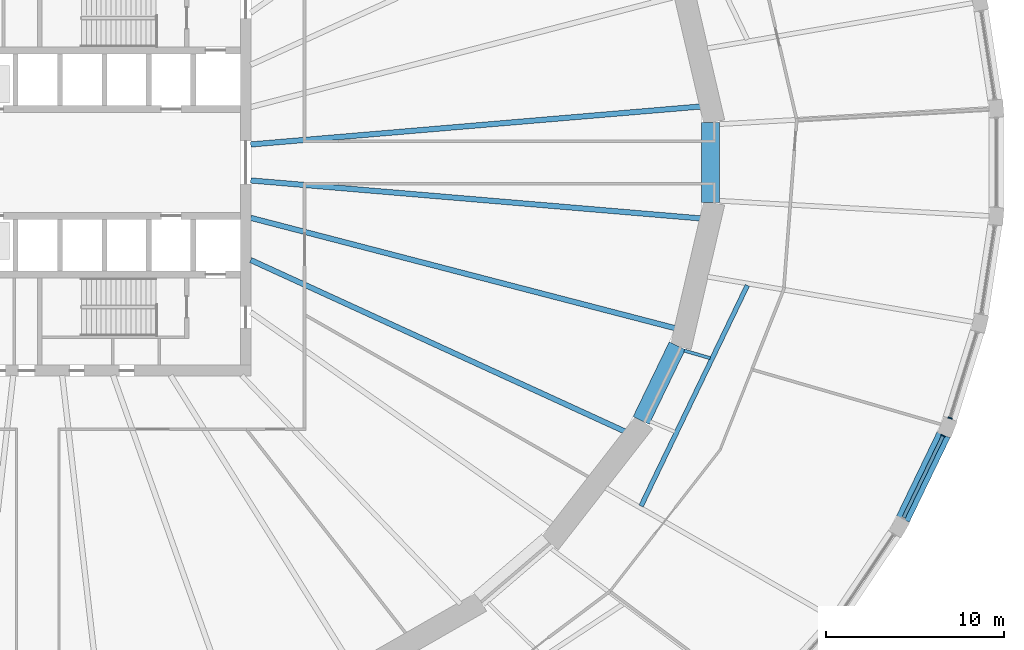
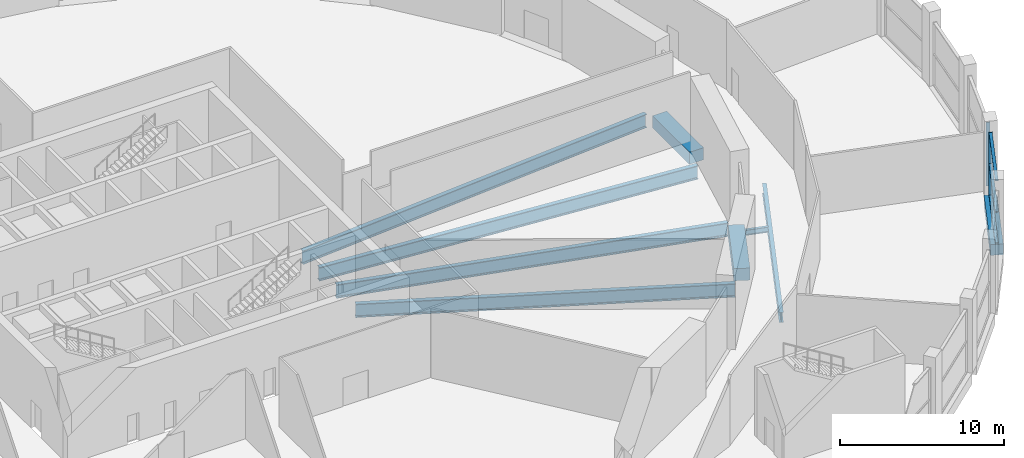
# One storey, part 10 of 29: 9 beams, 5 members, 2 elements without a shape of their own.
"""IFC4 building model written with IfcOpenShell, lengths in metres."""

from ifc_helpers import new_model, si_unit, direction, frame, origin, origin_2d, place, context, subcontext, project, spatial, rectangle, i_section, extrude, material, material_profile, profile_set, type_object, element, aggregate, save


model = new_model("IFC4")

# Units and contexts
model_context = context("Model", 3, precision=1e-05, world=origin(), true_north=direction((0.0, 1.0)))
body_context = subcontext(model_context, "Body", "Model", "MODEL_VIEW")
ifc_project = project(units=[si_unit("LENGTHUNIT", "METRE"), si_unit("AREAUNIT", "SQUARE_METRE"), si_unit("VOLUMEUNIT", "CUBIC_METRE"), si_unit("PLANEANGLEUNIT", "RADIAN"), si_unit("MASSUNIT", "GRAM", prefix="KILO")], contexts=[model_context])

# Site, building, storey
site_placement = place(None, origin())
site = spatial("IfcSite", under=ifc_project, at=site_placement, CompositionType="ELEMENT")
building_placement = place(site_placement, origin())
building = spatial("IfcBuilding", under=site, at=building_placement, Name="Halqa Exchange Tower", CompositionType="ELEMENT")
storey_placement = place(building_placement, frame((0.0, 0.0, 7.0)))
storey = spatial("IfcBuildingStorey", under=building, at=storey_placement, Name="L01", CompositionType="ELEMENT", Elevation=7.0)

# Curtain wall, member
ifc_material_1 = material(Name="Anodised aluminium and clear glass", Category="aluminium")
curtain_wall_type = type_object("IfcCurtainWallType", Name="Exchange hall glazing", PredefinedType="NOTDEFINED", material=ifc_material_1)
curtain_wall_1_placement = place(storey_placement, origin())
curtain_wall_1 = element("IfcCurtainWall", 1, at=curtain_wall_1_placement, inside=storey, type_object=curtain_wall_type, Name="Exchange hall glazing run P45", PredefinedType="NOTDEFINED")
ifc_material_2 = material(Name="Anodised aluminium", Category="aluminium")
ifc_material_profile_1 = material_profile(ifc_material_2, rectangle(XDim=0.25, YDim=0.070068359375, at=origin_2d()), Name="AL 70x250")
ifc_profile_set_1 = profile_set([ifc_material_profile_1], Name="Anodised aluminium")
member_type_1 = type_object("IfcMemberType", Name="Exchange hall glazing mullion 70 x 250", PredefinedType="MULLION", material=ifc_profile_set_1)
member_1_placement = place(storey_placement, frame((50.9013671875, -15.3642578125, 0.0), z_axis=(0.0, 0.0, 1.0), x_axis=(-0.90043534892, 0.434989864727, 0.0)))
member_1 = element("IfcMember", 2, at=member_1_placement, type_object=member_type_1, Name="P45 mullion 2", PredefinedType="MULLION", context=body_context, shape_type="SweptSolid", body=[
    extrude(rectangle(XDim=0.25, YDim=0.070068359375, at=origin_2d()), origin(), (0.0, 0.0, 1.0), 4.699951171875),
])

curtain_wall_2_placement = place(storey_placement, origin())
curtain_wall_2 = element("IfcCurtainWall", 3, at=curtain_wall_2_placement, inside=storey, type_object=curtain_wall_type, Name="Exchange hall glazing run P46", PredefinedType="NOTDEFINED")
member_2_placement = place(storey_placement, frame((51.293701171875, -14.3720703125, 0.0), z_axis=(0.0, 0.0, 1.0), x_axis=(-0.95447130463, 0.298302746613, 0.0)))
member_2 = element("IfcMember", 4, at=member_2_placement, type_object=member_type_1, Name="P46 mullion 1", PredefinedType="MULLION", context=body_context, shape_type="SweptSolid", body=[
    extrude(rectangle(XDim=0.25, YDim=0.070068359375, at=origin_2d()), origin(), (0.0, 0.0, 1.0), 4.699951171875),
])
aggregate(curtain_wall_2, [member_2])

# Member
ifc_material_profile_2 = material_profile(ifc_material_2, rectangle(XDim=0.199951171875, YDim=0.070068359375, at=origin_2d()), Name="AL 70x200")
ifc_profile_set_2 = profile_set([ifc_material_profile_2], Name="Anodised aluminium")
member_type_2 = type_object("IfcMemberType", Name="Exchange hall glazing transom 70 x 200", PredefinedType="USERDEFINED", material=ifc_profile_set_2)
member_3_placement = place(storey_placement, frame((48.678955078125, -19.96484375, 0.034912109375), z_axis=(0.434989893806, 0.900435334872, 0.0), x_axis=(-0.900435334872, 0.434989893806, 0.0)))
member_3 = element("IfcMember", 5, at=member_3_placement, type_object=member_type_2, Name="P45 transom 1.1", ObjectType="TRANSOM", PredefinedType="USERDEFINED", context=body_context, shape_type="SweptSolid", body=[
    extrude(rectangle(XDim=0.199951171875, YDim=0.070068359375, at=origin_2d()), origin(), (0.0, 0.0, 1.0), 5.07421875),
])

member_4_placement = place(storey_placement, frame((48.678955078125, -19.96484375, 2.35009765625), z_axis=(0.434989893806, 0.900435334872, 0.0), x_axis=(-0.900435334872, 0.434989893806, 0.0)))
member_4 = element("IfcMember", 6, at=member_4_placement, type_object=member_type_2, Name="P45 transom 1.2", ObjectType="TRANSOM", PredefinedType="USERDEFINED", context=body_context, shape_type="SweptSolid", body=[
    extrude(rectangle(XDim=0.199951171875, YDim=0.070068359375, at=origin_2d()), origin(), (0.0, 0.0, 1.0), 5.07421875),
])

member_5_placement = place(storey_placement, frame((48.678955078125, -19.96484375, 4.6650390625), z_axis=(0.434989893806, 0.900435334872, 0.0), x_axis=(-0.900435334872, 0.434989893806, 0.0)))
member_5 = element("IfcMember", 7, at=member_5_placement, type_object=member_type_2, Name="P45 transom 1.3", ObjectType="TRANSOM", PredefinedType="USERDEFINED", context=body_context, shape_type="SweptSolid", body=[
    extrude(rectangle(XDim=0.199951171875, YDim=0.070068359375, at=origin_2d()), origin(), (0.0, 0.0, 1.0), 5.07421875),
])

aggregate(curtain_wall_1, [member_1, member_3, member_4, member_5])

# Beams
ifc_material_3 = material(Name="Steel S355", Category="steel")
ifc_material_profile_3 = material_profile(ifc_material_3, i_section(OverallWidth=0.300048828125, OverallDepth=1.0, WebThickness=0.01904296875, FlangeThickness=0.035888671875, FilletRadius=0.030029296875, at=origin_2d()), Name="HEB 1000")
ifc_profile_set_3 = profile_set([ifc_material_profile_3], Name="Steel S355")
beam_type_1 = type_object("IfcBeamType", Name="Floor beam HEB 1000", PredefinedType="BEAM", material=ifc_profile_set_3)
beam_1_placement = place(storey_placement, frame((11.972412109375, -5.485107421875, -0.85009765625), z_axis=(0.909128229117, -0.416516341843, 0.0), x_axis=(0.416516341843, 0.909128229117, 0.0)))
element("IfcBeam", 8, at=beam_1_placement, inside=storey, type_object=beam_type_1, Name="Radial beam 30", PredefinedType="BEAM", context=body_context, shape_type="SweptSolid", body=[
    extrude(i_section(OverallWidth=0.300048828125, OverallDepth=1.0, WebThickness=0.01904296875, FlangeThickness=0.035888671875, FilletRadius=0.030029296875, at=origin_2d()), origin(), (0.0, 0.0, 1.0), 23.209228515625),
])
ifc_material_profile_4 = material_profile(ifc_material_3, i_section(OverallWidth=0.302001953125, OverallDepth=1.008056640625, WebThickness=0.02099609375, FlangeThickness=0.0400390625, FilletRadius=0.030029296875, at=origin_2d()), Name="HEM 1000")
ifc_profile_set_4 = profile_set([ifc_material_profile_4], Name="Steel S355")
beam_type_2 = type_object("IfcBeamType", Name="Floor beam HEM 1000", PredefinedType="BEAM", material=ifc_profile_set_4)
beam_2_placement = place(storey_placement, frame((11.972412109375, 1.0107421875, -0.85400390625), z_axis=(0.996455167327, 0.084125498561, 0.0), x_axis=(-0.084125498561, 0.996455167327, 0.0)))
element("IfcBeam", 9, at=beam_2_placement, inside=storey, type_object=beam_type_2, Name="Radial beam 1", PredefinedType="BEAM", context=body_context, shape_type="SweptSolid", body=[
    extrude(i_section(OverallWidth=0.302001953125, OverallDepth=1.008056640625, WebThickness=0.02099609375, FlangeThickness=0.0400390625, FilletRadius=0.030029296875, at=origin_2d()), origin(), (0.0, 0.0, 1.0), 25.460205078125),
])
beam_3_placement = place(storey_placement, frame((11.971435546875, -3.11279296875, -0.85400390625), z_axis=(0.967821064299, -0.251639399735, 0.0), x_axis=(0.251639399735, 0.967821064299, 0.0)))
element("IfcBeam", 10, at=beam_3_placement, inside=storey, type_object=beam_type_2, Name="Radial beam 31", PredefinedType="BEAM", context=body_context, shape_type="SweptSolid", body=[
    extrude(i_section(OverallWidth=0.302001953125, OverallDepth=1.008056640625, WebThickness=0.02099609375, FlangeThickness=0.0400390625, FilletRadius=0.030029296875, at=origin_2d()), origin(), (0.0, 0.0, 1.0), 24.7314453125),
])
beam_4_placement = place(storey_placement, frame((11.972412109375, -1.0107421875, -0.85400390625), z_axis=(0.996455167327, -0.084125498561, 0.0), x_axis=(0.084125498561, 0.996455167327, 0.0)))
element("IfcBeam", 11, at=beam_4_placement, inside=storey, type_object=beam_type_2, Name="Radial beam 32", PredefinedType="BEAM", context=body_context, shape_type="SweptSolid", body=[
    extrude(i_section(OverallWidth=0.302001953125, OverallDepth=1.008056640625, WebThickness=0.02099609375, FlangeThickness=0.0400390625, FilletRadius=0.030029296875, at=origin_2d()), origin(), (0.0, 0.0, 1.0), 25.460205078125),
])
ifc_material_profile_5 = material_profile(ifc_material_3, i_section(OverallWidth=0.179931640625, OverallDepth=0.39990234375, WebThickness=0.008544921875, FlangeThickness=0.013427734375, FilletRadius=0.02099609375, at=origin_2d()), Name="IPE 400")
ifc_profile_set_5 = profile_set([ifc_material_profile_5], Name="Steel S355")
beam_type_3 = type_object("IfcBeamType", Name="Floor beam IPE 400", PredefinedType="BEAM", material=ifc_profile_set_5)
beam_5_placement = place(storey_placement, frame((36.34521484375, -10.578369140625, -0.550048828125), z_axis=(0.960174163417, -0.279402175917, 0.0), x_axis=(0.279402175917, 0.960174163417, 0.0)))
element("IfcBeam", 12, at=beam_5_placement, inside=storey, type_object=beam_type_3, Name="Radial beam 46a", PredefinedType="BEAM", context=body_context, shape_type="SweptSolid", body=[
    extrude(i_section(OverallWidth=0.179931640625, OverallDepth=0.39990234375, WebThickness=0.008544921875, FlangeThickness=0.013427734375, FilletRadius=0.02099609375, at=origin_2d()), origin(), (0.0, 0.0, 1.0), 1.521240234375),
])
ifc_material_profile_6 = material_profile(ifc_material_3, i_section(OverallWidth=0.264892578125, OverallDepth=0.7529296875, WebThickness=0.01318359375, FlangeThickness=0.01708984375, FilletRadius=0.01708984375, at=origin_2d()), Name="IPE 750x147")
ifc_profile_set_6 = profile_set([ifc_material_profile_6], Name="Steel S355")
beam_type_4 = type_object("IfcBeamType", Name="Floor beam IPE 750x147", PredefinedType="BEAM", material=ifc_profile_set_6)
beam_6_placement = place(storey_placement, frame((33.92041015625, -19.3134765625, -0.7265625), z_axis=(0.433856142987, 0.900982156978, 0.0), x_axis=(-0.900982156978, 0.433856142987, 0.0)))
element("IfcBeam", 13, at=beam_6_placement, inside=storey, type_object=beam_type_4, Name="Radial beam TSS2-in", PredefinedType="BEAM", context=body_context, shape_type="SweptSolid", body=[
    extrude(i_section(OverallWidth=0.264892578125, OverallDepth=0.7529296875, WebThickness=0.01318359375, FlangeThickness=0.01708984375, FilletRadius=0.01708984375, at=origin_2d()), origin(), (0.0, 0.0, 1.0), 13.766357421875),
])
ifc_material_4 = material(Name="Concrete C60/75", Category="concrete")
ifc_material_profile_7 = material_profile(ifc_material_4, rectangle(XDim=0.800048828125, YDim=0.800048828125, at=origin_2d()), Name="800 x 800")
ifc_profile_set_7 = profile_set([ifc_material_profile_7], Name="Concrete C60/75")
beam_type_5 = type_object("IfcBeamType", Name="RC podium edge beam 800 x 800 C60/75", PredefinedType="SPANDREL", material=ifc_profile_set_7)
beam_7_placement = place(storey_placement, frame((48.636962890625, -20.052001953125, -0.39990234375), z_axis=(0.43497328232, 0.9004433595, 0.0), x_axis=(-0.9004433595, 0.43497328232, 0.0)))
element("IfcBeam", 14, at=beam_7_placement, inside=storey, type_object=beam_type_5, Name="Podium edge beam 45", PredefinedType="SPANDREL", context=body_context, shape_type="SweptSolid", body=[
    extrude(rectangle(XDim=0.800048828125, YDim=0.800048828125, at=origin_2d()), origin(), (0.0, 0.0, 1.0), 5.267578125),
])
ifc_material_profile_8 = material_profile(ifc_material_4, rectangle(XDim=1.0, YDim=0.89990234375, at=origin_2d()), Name="1000 x 900")
ifc_profile_set_8 = profile_set([ifc_material_profile_8], Name="Concrete C60/75")
beam_type_6 = type_object("IfcBeamType", Name="RC spandrel beam 1000 x 900 C60/75", PredefinedType="SPANDREL", material=ifc_profile_set_8)
beam_8_placement = place(storey_placement, frame((33.923095703125, -14.505615234375, -0.449951171875), z_axis=(0.435068215878, 0.900397494184, 0.0), x_axis=(-0.900397494184, 0.435068215878, 0.0)))
element("IfcBeam", 15, at=beam_8_placement, inside=storey, type_object=beam_type_6, Name="Spandrel 30", PredefinedType="SPANDREL", context=body_context, shape_type="SweptSolid", body=[
    extrude(rectangle(XDim=1.0, YDim=0.89990234375, at=origin_2d()), origin(), (0.0, 0.0, 1.0), 4.6630859375),
])
beam_9_placement = place(storey_placement, frame((37.81689453125, -2.24609375, -0.449951171875), z_axis=(0.0, 1.0, 0.0), x_axis=(-1.0, 0.0, 0.0)))
element("IfcBeam", 16, at=beam_9_placement, inside=storey, type_object=beam_type_6, Name="Spandrel 32", PredefinedType="SPANDREL", context=body_context, shape_type="SweptSolid", body=[
    extrude(rectangle(XDim=1.0, YDim=0.89990234375, at=origin_2d()), origin(), (0.0, 0.0, 1.0), 4.4921875),
])

save(model, "model.ifc")
